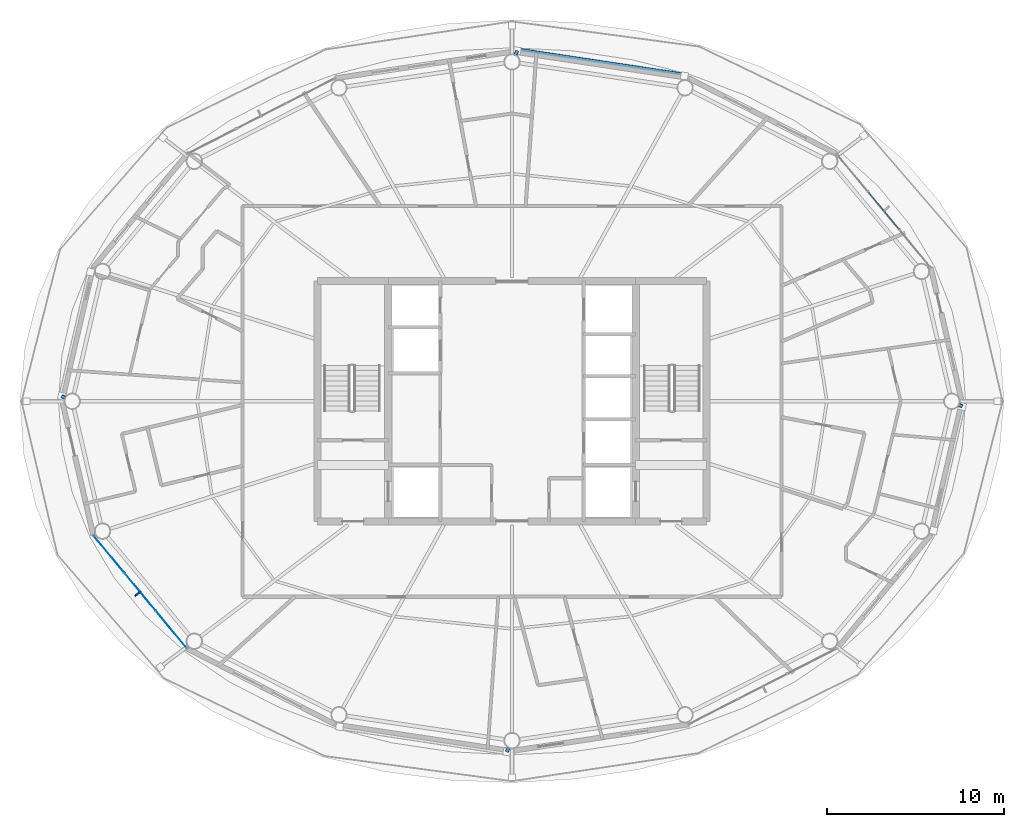
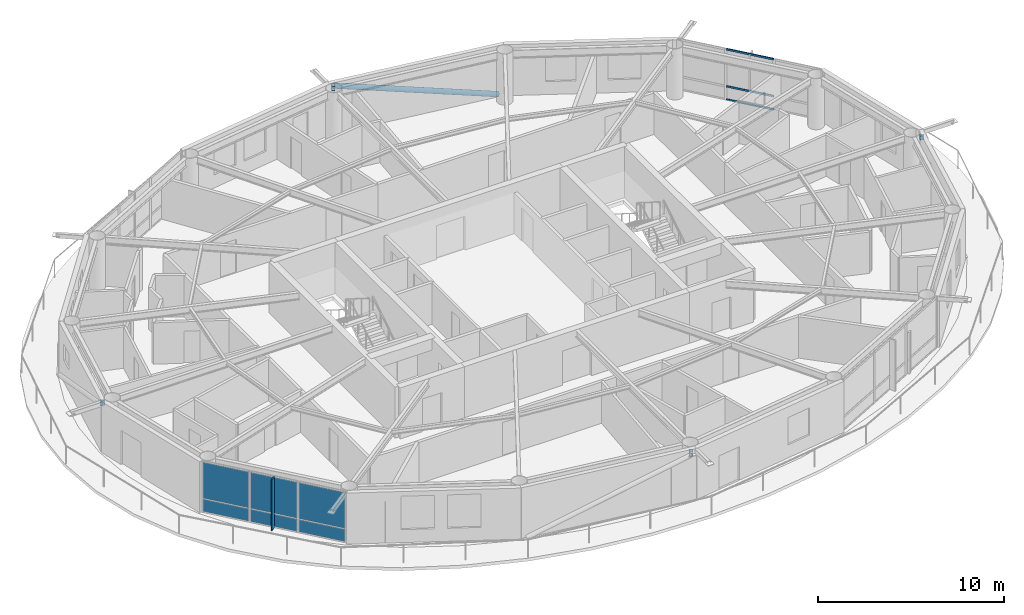
# One storey, part 12 of 22: 8 members, 7 plates, 2 elements without a shape of their own.
"""IFC4 building model written with IfcOpenShell, lengths in metres."""

from ifc_helpers import new_model, si_unit, direction, frame, origin, origin_2d, place, context, subcontext, project, spatial, rectangle, hollow_rectangle, hollow_circle, extrude, material, layer, layer_set, material_profile, profile_set, type_object, element, aggregate, save


model = new_model("IFC4")

# Units and contexts
model_context = context("Model", 3, precision=1e-05, world=origin(), true_north=direction((0.0, 1.0)))
body_context = subcontext(model_context, "Body", "Model", "MODEL_VIEW")
ifc_project = project(units=[si_unit("LENGTHUNIT", "METRE"), si_unit("AREAUNIT", "SQUARE_METRE"), si_unit("VOLUMEUNIT", "CUBIC_METRE"), si_unit("PLANEANGLEUNIT", "RADIAN"), si_unit("MASSUNIT", "GRAM", prefix="KILO")], contexts=[model_context])

# Site, building, storey
site_placement = place(None, origin())
site = spatial("IfcSite", under=ifc_project, at=site_placement, CompositionType="ELEMENT")
building_placement = place(site_placement, origin())
building = spatial("IfcBuilding", under=site, at=building_placement, Name="Sarneth Arch Tower", CompositionType="ELEMENT")
storey_placement = place(building_placement, frame((0.0, 0.0, 213.60009765625)))
storey = spatial("IfcBuildingStorey", under=building, at=storey_placement, Name="L54", CompositionType="ELEMENT", Elevation=213.60009765625)

# Curtain wall, members
ifc_material_1 = material(Name="Anodised aluminium Type AA25 and solar-control low-e laminated IGU", Category="aluminium")
ifc_layer_1 = layer(ifc_material_1, 0.179931640625)
ifc_layer_set_1 = layer_set([ifc_layer_1], Name="Anodised aluminium Type AA25 and solar-control low-e laminated IGU")
curtain_wall_type = type_object("IfcCurtainWallType", Name="CW-RES-HIGH", PredefinedType="NOTDEFINED", material=ifc_layer_set_1)
curtain_wall_1_placement = place(storey_placement, origin())
curtain_wall_1 = element("IfcCurtainWall", 1, at=curtain_wall_1_placement, inside=storey, type_object=curtain_wall_type, Name="L54 Unitised curtain wall facet 02", PredefinedType="NOTDEFINED")
ifc_material_2 = material(Name="Anodised Aluminium 6063-T6", Category="aluminium")
ifc_material_profile_1 = material_profile(ifc_material_2, hollow_rectangle(XDim=0.06005859375, YDim=0.1201171875, WallThickness=0.00390625, at=origin_2d()), Name="AL-TRAN-120x60x4")
ifc_profile_set_1 = profile_set([ifc_material_profile_1], Name="Anodised Aluminium 6063-T6")
member_type_1 = type_object("IfcMemberType", Name="CW-TRANSOM", PredefinedType="USERDEFINED", material=ifc_profile_set_1)
member_1_placement = place(storey_placement, frame((69.904296875, 51.731689453125, 0.02978515625), z_axis=(-0.637617371902, 0.770353222261, 0.0), x_axis=(-0.770353222261, -0.637617371902, 0.0)))
member_1 = element("IfcMember", 2, at=member_1_placement, type_object=member_type_1, Name="CW-SYS-6 transom 2.1", ObjectType="TRANSOM", PredefinedType="USERDEFINED", context=body_context, shape_type="SweptSolid", body=[
    extrude(hollow_rectangle(XDim=0.06005859375, YDim=0.1201171875, WallThickness=0.00390625, at=origin_2d()), origin(), (0.0, 0.0, 1.0), 2.716552734375),
])
member_2_placement = place(storey_placement, frame((69.904296875, 51.731689453125, 0.89990234375), z_axis=(-0.637617371902, 0.770353222261, 0.0), x_axis=(-0.770353222261, -0.637617371902, 0.0)))
member_2 = element("IfcMember", 3, at=member_2_placement, type_object=member_type_1, Name="CW-SYS-6 transom 2.2", ObjectType="TRANSOM", PredefinedType="USERDEFINED", context=body_context, shape_type="SweptSolid", body=[
    extrude(hollow_rectangle(XDim=0.06005859375, YDim=0.1201171875, WallThickness=0.00390625, at=origin_2d()), origin(), (0.0, 0.0, 1.0), 2.716552734375),
])
member_3_placement = place(storey_placement, frame((69.904296875, 51.731689453125, 3.329833984375), z_axis=(-0.637617371902, 0.770353222261, 0.0), x_axis=(-0.770353222261, -0.637617371902, 0.0)))
member_3 = element("IfcMember", 4, at=member_3_placement, type_object=member_type_1, Name="CW-SYS-6 transom 2.3", ObjectType="TRANSOM", PredefinedType="USERDEFINED", context=body_context, shape_type="SweptSolid", body=[
    extrude(hollow_rectangle(XDim=0.06005859375, YDim=0.1201171875, WallThickness=0.00390625, at=origin_2d()), origin(), (0.0, 0.0, 1.0), 2.716552734375),
])
aggregate(curtain_wall_1, [member_1, member_2, member_3])

# Members
ifc_material_3 = material(Name="Steel S355", Category="steel")
ifc_material_profile_2 = material_profile(ifc_material_3, hollow_rectangle(XDim=0.199951171875, YDim=0.300048828125, WallThickness=0.012451171875, InnerFilletRadius=0.018798828125, OuterFilletRadius=0.03125, at=origin_2d()), Name="RHS300x200x12.5")
ifc_profile_set_2 = profile_set([ifc_material_profile_2], Name="Steel S355")
member_type_2 = type_object("IfcMemberType", Name="MEM-CANT-STRUT", PredefinedType="STRUT", material=ifc_profile_set_2)
member_4_placement = place(storey_placement, frame((48.17138671875, 61.56689453125, 3.03662109375), z_axis=(0.422659932572, 0.906288354443, 0.0), x_axis=(-0.906288354443, 0.422659932572, 0.0)))
element("IfcMember", 5, at=member_4_placement, inside=storey, type_object=member_type_2, Name="L54 Exoskeleton brace node strut 04B", PredefinedType="STRUT", context=body_context, shape_type="SweptSolid", body=[
    extrude(hollow_rectangle(XDim=0.199951171875, YDim=0.300048828125, WallThickness=0.012451171875, InnerFilletRadius=0.018798828125, OuterFilletRadius=0.03125, at=origin_2d()), origin(), (0.0, 0.0, 1.0), 0.29638671875),
])
member_5_placement = place(storey_placement, frame((22.75341796875, 42.178955078125, 3.03662109375), z_axis=(-0.897077765426, 0.441872699743, 0.0), x_axis=(-0.441872699743, -0.897077765426, 0.0)))
element("IfcMember", 6, at=member_5_placement, inside=storey, type_object=member_type_2, Name="L54 Exoskeleton brace node strut 08B", PredefinedType="STRUT", context=body_context, shape_type="SweptSolid", body=[
    extrude(hollow_rectangle(XDim=0.199951171875, YDim=0.300048828125, WallThickness=0.012451171875, InnerFilletRadius=0.018798828125, OuterFilletRadius=0.03125, at=origin_2d()), origin(), (0.0, 0.0, 1.0), 0.25634765625),
])
member_6_placement = place(storey_placement, frame((47.82861328125, 22.43310546875, 3.03662109375), z_axis=(-0.422659932572, -0.906288354443, 0.0), x_axis=(0.906288354443, -0.422659932572, 0.0)))
element("IfcMember", 7, at=member_6_placement, inside=storey, type_object=member_type_2, Name="L54 Exoskeleton brace node strut 12B", PredefinedType="STRUT", context=body_context, shape_type="SweptSolid", body=[
    extrude(hollow_rectangle(XDim=0.199951171875, YDim=0.300048828125, WallThickness=0.012451171875, InnerFilletRadius=0.018798828125, OuterFilletRadius=0.03125, at=origin_2d()), origin(), (0.0, 0.0, 1.0), 0.29638671875),
])
member_7_placement = place(storey_placement, frame((73.24658203125, 41.821044921875, 3.03662109375), z_axis=(0.897077765426, -0.441872699743, 0.0), x_axis=(0.441872699743, 0.897077765426, 0.0)))
element("IfcMember", 8, at=member_7_placement, inside=storey, type_object=member_type_2, Name="L54 Exoskeleton brace node strut 16B", PredefinedType="STRUT", context=body_context, shape_type="SweptSolid", body=[
    extrude(hollow_rectangle(XDim=0.199951171875, YDim=0.300048828125, WallThickness=0.012451171875, InnerFilletRadius=0.018798828125, OuterFilletRadius=0.03125, at=origin_2d()), origin(), (0.0, 0.0, 1.0), 0.25634765625),
])
ifc_material_4 = material(Name="Steel S355", Category="steel")
ifc_material_profile_3 = material_profile(ifc_material_4, hollow_circle(Radius=0.162109375, WallThickness=0.012451171875, at=origin_2d()), Name="CHS324x12.5")
ifc_profile_set_3 = profile_set([ifc_material_profile_3], Name="Steel S355")
member_type_3 = type_object("IfcMemberType", Name="MEM-DIAG-BR3", PredefinedType="BRACE", material=ifc_profile_set_3)
member_8_placement = place(storey_placement, frame((57.754150390625, 60.411376953125, 0.02001953125), z_axis=(-0.943056107878, 0.142001297879, 0.300800280576), x_axis=(-0.148897148305, -0.988852688335, 0.0)))
element("IfcMember", 9, at=member_8_placement, inside=storey, type_object=member_type_3, Name="L54 Perimeter frame diagonal 04", PredefinedType="BRACE", context=body_context, shape_type="SweptSolid", body=[
    extrude(hollow_circle(Radius=0.162109375, WallThickness=0.012451171875, at=origin_2d()), origin(), (0.0, 0.0, 1.0), 10.028564453125),
])

# Curtain wall, plates
curtain_wall_2_placement = place(storey_placement, origin())
curtain_wall_2 = element("IfcCurtainWall", 10, at=curtain_wall_2_placement, inside=storey, type_object=curtain_wall_type, Name="L54 Unitised curtain wall facet 10", PredefinedType="NOTDEFINED")
ifc_material_5 = material(Name="Solar-control low-e laminated IGU", Category="glass")
ifc_layer_2 = layer(ifc_material_5, 0.028076171875)
ifc_layer_set_2 = layer_set([ifc_layer_2], Name="Solar-control low-e laminated IGU")
plate_type_1 = type_object("IfcPlateType", Name="CW-PANEL", PredefinedType="CURTAIN_PANEL", material=ifc_layer_set_2)
plate_1_placement = place(storey_placement, frame((25.200927734375, 33.349365234375, 0.059814453125), z_axis=(0.0, 0.0, 1.0), x_axis=(0.637610094184, -0.770359245933, 0.0)))
plate_1 = element("IfcPlate", 11, at=plate_1_placement, type_object=plate_type_1, Name="Curtain wall glazed vision pane CW-L54-F10/P00-00", PredefinedType="CURTAIN_PANEL", context=body_context, shape_type="SweptSolid", body=[
    extrude(rectangle(XDim=2.686767578125, YDim=0.028076171875, at=origin_2d()), origin(), (0.0, 0.0, 1.0), 0.81005859375),
])
plate_2_placement = place(storey_placement, frame((25.200927734375, 33.349365234375, 0.929931640625), z_axis=(0.0, 0.0, 1.0), x_axis=(0.637610094184, -0.770359245933, 0.0)))
plate_2 = element("IfcPlate", 12, at=plate_2_placement, type_object=plate_type_1, Name="Curtain wall glazed vision pane CW-L54-F10/P00-01", PredefinedType="CURTAIN_PANEL", context=body_context, shape_type="SweptSolid", body=[
    extrude(rectangle(XDim=2.686767578125, YDim=0.028076171875, at=origin_2d()), origin(), (0.0, 0.0, 1.0), 2.3701171875),
])
plate_3_placement = place(storey_placement, frame((26.9619140625, 31.221923828125, 0.059814453125), z_axis=(0.0, 0.0, 1.0), x_axis=(0.637610094184, -0.770359245933, 0.0)))
plate_3 = element("IfcPlate", 13, at=plate_3_placement, type_object=plate_type_1, Name="Curtain wall glazed vision pane CW-L54-F10/P01-00", PredefinedType="CURTAIN_PANEL", context=body_context, shape_type="SweptSolid", body=[
    extrude(rectangle(XDim=2.716552734375, YDim=0.028076171875, at=origin_2d()), origin(), (0.0, 0.0, 1.0), 0.81005859375),
])
plate_4_placement = place(storey_placement, frame((26.9619140625, 31.221923828125, 0.929931640625), z_axis=(0.0, 0.0, 1.0), x_axis=(0.637610094184, -0.770359245933, 0.0)))
plate_4 = element("IfcPlate", 14, at=plate_4_placement, type_object=plate_type_1, Name="Curtain wall glazed vision pane CW-L54-F10/P01-01", PredefinedType="CURTAIN_PANEL", context=body_context, shape_type="SweptSolid", body=[
    extrude(rectangle(XDim=2.716552734375, YDim=0.028076171875, at=origin_2d()), origin(), (0.0, 0.0, 1.0), 2.3701171875),
])
plate_5_placement = place(storey_placement, frame((28.72265625, 29.094482421875, 0.059814453125), z_axis=(0.0, 0.0, 1.0), x_axis=(0.637610094184, -0.770359245933, 0.0)))
plate_5 = element("IfcPlate", 15, at=plate_5_placement, type_object=plate_type_1, Name="Curtain wall glazed vision pane CW-L54-F10/P02-00", PredefinedType="CURTAIN_PANEL", context=body_context, shape_type="SweptSolid", body=[
    extrude(rectangle(XDim=2.686767578125, YDim=0.028076171875, at=origin_2d()), origin(), (0.0, 0.0, 1.0), 0.81005859375),
])
plate_6_placement = place(storey_placement, frame((28.72265625, 29.094482421875, 0.929931640625), z_axis=(0.0, 0.0, 1.0), x_axis=(0.637610094184, -0.770359245933, 0.0)))
plate_6 = element("IfcPlate", 16, at=plate_6_placement, type_object=plate_type_1, Name="Curtain wall glazed vision pane CW-L54-F10/P02-01", PredefinedType="CURTAIN_PANEL", context=body_context, shape_type="SweptSolid", body=[
    extrude(rectangle(XDim=2.686767578125, YDim=0.028076171875, at=origin_2d()), origin(), (0.0, 0.0, 1.0), 2.3701171875),
])
aggregate(curtain_wall_2, [plate_1, plate_2, plate_3, plate_4, plate_5, plate_6])

# Plate
ifc_material_6 = material(Name="Extruded glazed terracotta baguette fin on Aluminium 6063-T6 carrier", Category="masonry")
ifc_layer_3 = layer(ifc_material_6, 0.080078125)
ifc_layer_set_3 = layer_set([ifc_layer_3], Name="Extruded glazed terracotta baguette fin on Aluminium 6063-T6 carrier")
plate_type_2 = type_object("IfcPlateType", Name="SHADE-TERRA-FIN", PredefinedType="SHEET", material=ifc_layer_set_3)
plate_7_placement = place(storey_placement, frame((26.830810546875, 31.113525390625, 0.009765625), z_axis=(0.0, 0.0, 1.0), x_axis=(-0.770401979567, -0.63755845997, 0.0)))
element("IfcPlate", 17, at=plate_7_placement, inside=storey, type_object=plate_type_2, Name="L54 Terracotta vertical shading fin 10", PredefinedType="SHEET", context=body_context, shape_type="SweptSolid", body=[
    extrude(rectangle(XDim=0.419921875, YDim=0.080078125, at=origin_2d()), origin(), (0.0, 0.0, 1.0), 3.340087890625),
])

save(model, "model.ifc")
